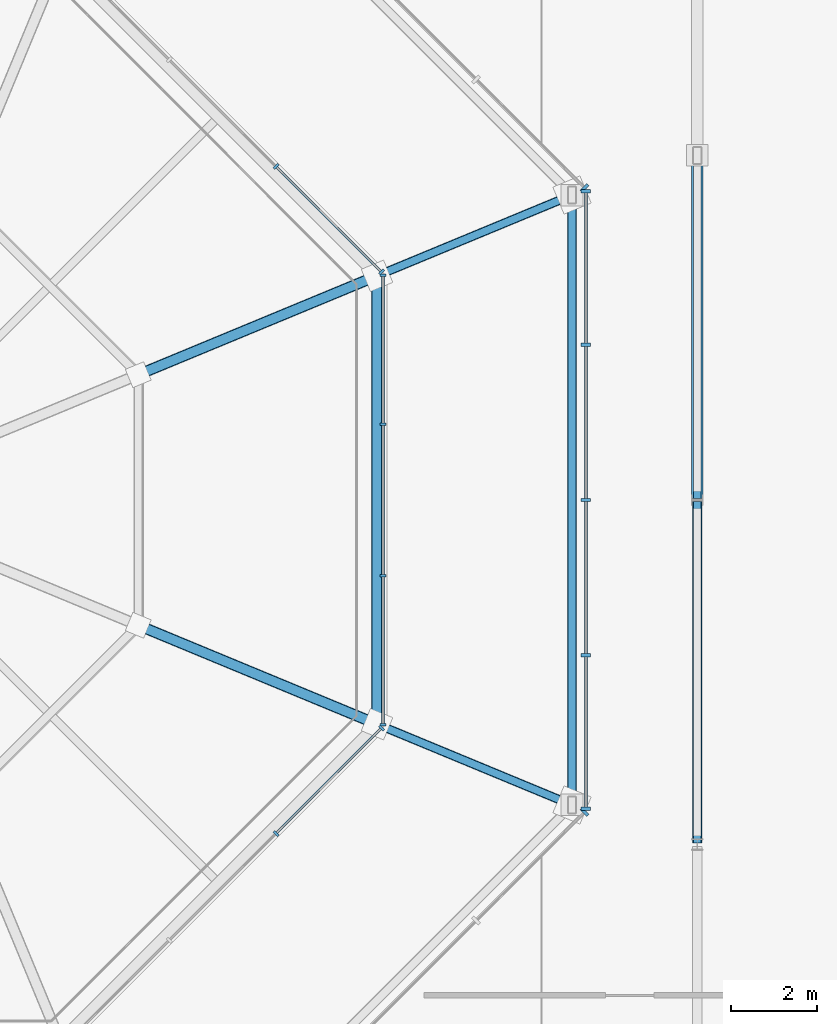
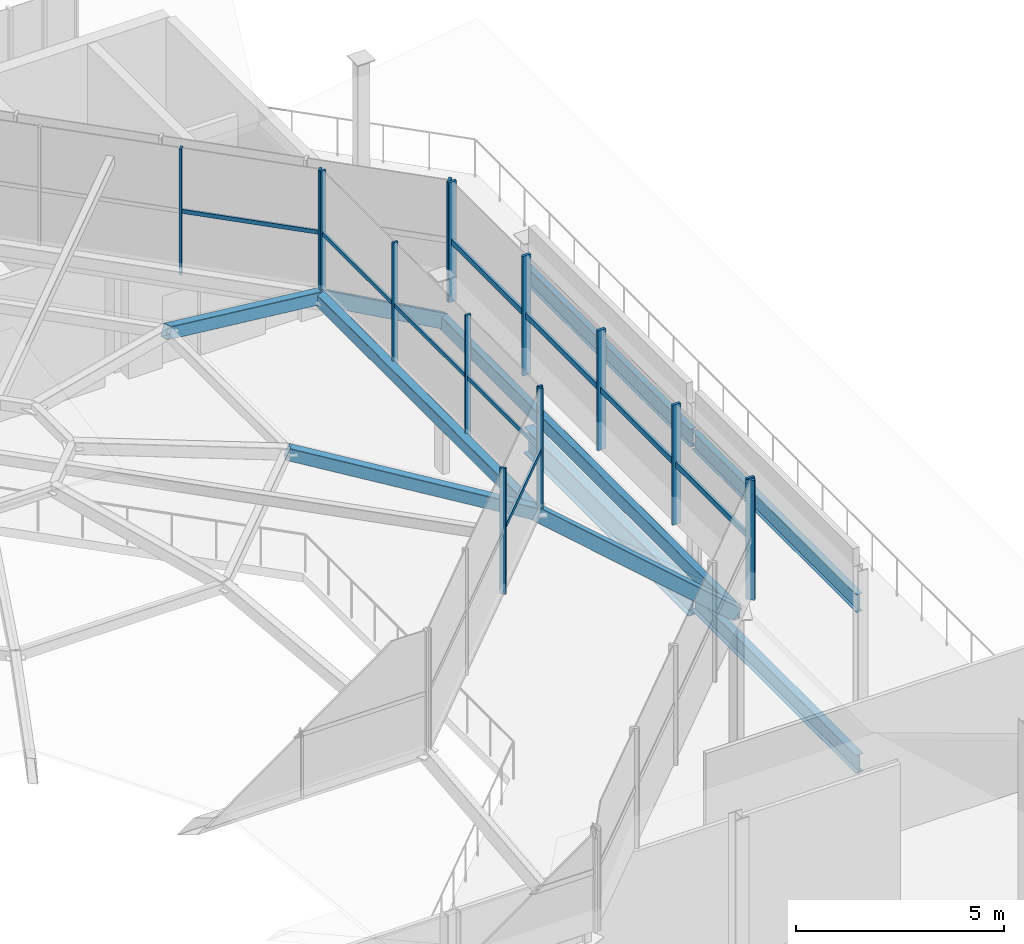
# One storey, part 12 of 30: 24 members, 10 beams, 6 elements without a shape of their own.
"""IFC4 building model written with IfcOpenShell, lengths in metres."""

from ifc_helpers import new_model, si_unit, direction, frame, origin, origin_2d, place, context, subcontext, project, spatial, rectangle, hollow_rectangle, i_section, extrude, material, material_profile, profile_set, type_object, element, aggregate, save


model = new_model("IFC4")

# Units and contexts
model_context = context("Model", 3, precision=1e-05, world=origin(), true_north=direction((0.0, 1.0)))
body_context = subcontext(model_context, "Body", "Model", "MODEL_VIEW")
ifc_project = project(units=[si_unit("LENGTHUNIT", "METRE"), si_unit("AREAUNIT", "SQUARE_METRE"), si_unit("VOLUMEUNIT", "CUBIC_METRE"), si_unit("PLANEANGLEUNIT", "RADIAN"), si_unit("MASSUNIT", "GRAM", prefix="KILO")], contexts=[model_context])

# Site, building, storey
site_placement = place(None, origin())
site = spatial("IfcSite", under=ifc_project, at=site_placement, CompositionType="ELEMENT")
building_placement = place(site_placement, origin())
building = spatial("IfcBuilding", under=site, at=building_placement, Name="Brisemont Oceanarium", CompositionType="ELEMENT")
storey_placement = place(building_placement, frame((0.0, 0.0, 19.800048828125)))
storey = spatial("IfcBuildingStorey", under=building, at=storey_placement, Name="L04", CompositionType="ELEMENT", Elevation=19.800048828125)

# Beams
ifc_material_1 = material(Name="Structural Steel ASTM A500 Gr.C", Category="steel")
ifc_material_profile_1 = material_profile(ifc_material_1, hollow_rectangle(XDim=0.25390625, YDim=0.35595703125, WallThickness=0.01171875, InnerFilletRadius=0.01220703125, OuterFilletRadius=0.02392578125, at=origin_2d()), Name="HSS14X10X1/2")
ifc_profile_set_1 = profile_set([ifc_material_profile_1], Name="Structural Steel ASTM A500 Gr.C")
beam_type_1 = type_object("IfcBeamType", Name="BM-HSS14X10", PredefinedType="BEAM", material=ifc_profile_set_1)
beam_1_placement = place(storey_placement, frame((96.564697265625, 61.20458984375, 7.800048828125), z_axis=(-0.862673737617, -0.357341841105, 0.357911764296), x_axis=(0.382693194178, -0.923875488976, 0.0)))
element("IfcBeam", 1, at=beam_1_placement, inside=storey, type_object=beam_type_1, Name="V1 dome meridian arch rib 2.1", PredefinedType="BEAM", context=body_context, shape_type="SweptSolid", body=[
    extrude(hollow_rectangle(XDim=0.25390625, YDim=0.35595703125, WallThickness=0.01171875, InnerFilletRadius=0.01220703125, OuterFilletRadius=0.02392578125, at=origin_2d()), origin(), (0.0, 0.0, 1.0), 6.425537109375),
])
beam_2_placement = place(storey_placement, frame((96.564697265625, 50.79541015625, 7.800048828125), z_axis=(0.0, 1.0, 0.0), x_axis=(-1.0, 0.0, 0.0)))
element("IfcBeam", 2, at=beam_2_placement, inside=storey, type_object=beam_type_1, Name="V1 dome ring 2 chord 8", PredefinedType="BEAM", context=body_context, shape_type="SweptSolid", body=[
    extrude(hollow_rectangle(XDim=0.25390625, YDim=0.35595703125, WallThickness=0.01171875, InnerFilletRadius=0.01220703125, OuterFilletRadius=0.02392578125, at=origin_2d()), origin(), (0.0, 0.0, 1.0), 10.4091796875),
])
beam_3_placement = place(storey_placement, frame((96.564697265625, 50.79541015625, 7.800048828125), z_axis=(-0.862673737617, 0.357341841105, 0.357911764296), x_axis=(-0.382693194178, -0.923875488976, 0.0)))
element("IfcBeam", 3, at=beam_3_placement, inside=storey, type_object=beam_type_1, Name="V1 dome meridian arch rib 2.8", PredefinedType="BEAM", context=body_context, shape_type="SweptSolid", body=[
    extrude(hollow_rectangle(XDim=0.25390625, YDim=0.35595703125, WallThickness=0.01171875, InnerFilletRadius=0.01220703125, OuterFilletRadius=0.02392578125, at=origin_2d()), origin(), (0.0, 0.0, 1.0), 6.425537109375),
])
ifc_material_2 = material(Name="Structural Steel ASTM A500 Gr.C", Category="steel")
ifc_material_profile_2 = material_profile(ifc_material_2, hollow_rectangle(XDim=0.202880859375, YDim=0.406005859375, WallThickness=0.01171875, InnerFilletRadius=0.01220703125, OuterFilletRadius=0.02392578125, at=origin_2d()), Name="HSS16X8X1/2")
ifc_profile_set_2 = profile_set([ifc_material_profile_2], Name="Structural Steel ASTM A500 Gr.C")
beam_type_2 = type_object("IfcBeamType", Name="BM-HSS16X8", PredefinedType="BEAM", material=ifc_profile_set_2)
beam_4_placement = place(storey_placement, frame((101.091796875, 63.07958984375, 4.3798828125), z_axis=(-0.757597539558, -0.313776039681, 0.572355278632), x_axis=(0.382651022285, -0.92389295654, 0.0)))
element("IfcBeam", 4, at=beam_4_placement, inside=storey, type_object=beam_type_2, Name="V1 dome meridian arch rib 1.1", PredefinedType="BEAM", context=body_context, shape_type="SweptSolid", body=[
    extrude(hollow_rectangle(XDim=0.202880859375, YDim=0.406005859375, WallThickness=0.01171875, InnerFilletRadius=0.01220703125, OuterFilletRadius=0.02392578125, at=origin_2d()), origin(), (0.0, 0.0, 1.0), 5.9755859375),
])
beam_5_placement = place(storey_placement, frame((101.091796875, 48.92041015625, 4.3798828125), z_axis=(0.0, 1.0, 0.0), x_axis=(-1.0, 0.0, 0.0)))
element("IfcBeam", 5, at=beam_5_placement, inside=storey, type_object=beam_type_2, Name="V1 dome ring 1 chord 8", PredefinedType="BEAM", context=body_context, shape_type="SweptSolid", body=[
    extrude(hollow_rectangle(XDim=0.202880859375, YDim=0.406005859375, WallThickness=0.01171875, InnerFilletRadius=0.01220703125, OuterFilletRadius=0.02392578125, at=origin_2d()), origin(), (0.0, 0.0, 1.0), 14.1591796875),
])
beam_6_placement = place(storey_placement, frame((101.091796875, 48.92041015625, 4.3798828125), z_axis=(-0.757597539558, 0.313776039681, 0.572355278632), x_axis=(-0.382651022285, -0.92389295654, 0.0)))
element("IfcBeam", 6, at=beam_6_placement, inside=storey, type_object=beam_type_2, Name="V1 dome meridian arch rib 1.8", PredefinedType="BEAM", context=body_context, shape_type="SweptSolid", body=[
    extrude(hollow_rectangle(XDim=0.202880859375, YDim=0.406005859375, WallThickness=0.01171875, InnerFilletRadius=0.01220703125, OuterFilletRadius=0.02392578125, at=origin_2d()), origin(), (0.0, 0.0, 1.0), 5.9755859375),
])
ifc_material_3 = material(Name="Structural Steel ASTM A992 Gr.50", Category="steel")
ifc_material_profile_3 = material_profile(ifc_material_3, i_section(OverallWidth=0.166015625, OverallDepth=0.528076171875, WebThickness=0.009765625, FlangeThickness=0.013671875, FilletRadius=0.012939453125, at=origin_2d()), Name="W21X50")
ifc_profile_set_3 = profile_set([ifc_material_profile_3], Name="Structural Steel ASTM A992 Gr.50")
beam_type_3 = type_object("IfcBeamType", Name="BM-W21X50", PredefinedType="SPANDREL", material=ifc_profile_set_3)
for number, where, z_axis, x_axis, name in (
    (7, (104.0, 48.0400390625, 4.18603515625), (0.0, 1.0, 0.0), (-1.0, 0.0, 0.0), "V1 L04 cornice parapet spandrel beam 9"),
    (8, (104.0, 56.0400390625, 4.18603515625), (0.0, 1.0, 0.0), (-1.0, 0.0, 0.0), "V1 L04 cornice parapet spandrel beam 10"),
):
    element("IfcBeam", number, at=place(storey_placement, frame(where, z_axis=z_axis, x_axis=x_axis)), inside=storey, type_object=beam_type_3, Name=name, PredefinedType="SPANDREL", context=body_context, shape_type="SweptSolid", body=[
        extrude(i_section(OverallWidth=0.166015625, OverallDepth=0.528076171875, WebThickness=0.009765625, FlangeThickness=0.013671875, FilletRadius=0.012939453125, at=origin_2d()), origin(), (0.0, 0.0, 1.0), 7.919921875),
    ])
ifc_material_4 = material(Name="Structural Steel ASTM A992 Gr.50", Category="steel")
ifc_material_profile_4 = material_profile(ifc_material_4, i_section(OverallWidth=0.2099609375, OverallDepth=0.532958984375, WebThickness=0.01025390625, FlangeThickness=0.015625, FilletRadius=0.012939453125, at=origin_2d()), Name="W21X62")
ifc_profile_set_4 = profile_set([ifc_material_profile_4], Name="Structural Steel ASTM A992 Gr.50")
beam_type_4 = type_object("IfcBeamType", Name="BM-W21X62", PredefinedType="BEAM", material=ifc_profile_set_4)
beam_7_placement = place(storey_placement, frame((104.0, 48.0400390625, -0.526611328125), z_axis=(0.0, 1.0, 0.0), x_axis=(-1.0, 0.0, 0.0)))
element("IfcBeam", 9, at=beam_7_placement, inside=storey, type_object=beam_type_4, Name="V1 L04 NS girder", PredefinedType="BEAM", context=body_context, shape_type="SweptSolid", body=[
    extrude(i_section(OverallWidth=0.2099609375, OverallDepth=0.532958984375, WebThickness=0.01025390625, FlangeThickness=0.015625, FilletRadius=0.012939453125, at=origin_2d()), origin(), (0.0, 0.0, 1.0), 7.919921875),
])
ifc_material_5 = material(Name="Structural Steel ASTM A992 Gr.50", Category="steel")
ifc_material_profile_5 = material_profile(ifc_material_5, i_section(OverallWidth=0.26708984375, OverallDepth=0.761962890625, WebThickness=0.014404296875, FlangeThickness=0.021484375, FilletRadius=0.01611328125, at=origin_2d()), Name="W30X116")
ifc_profile_set_5 = profile_set([ifc_material_profile_5], Name="Structural Steel ASTM A992 Gr.50")
beam_type_5 = type_object("IfcBeamType", Name="BM-W30X116", PredefinedType="BEAM", material=ifc_profile_set_5)
beam_8_placement = place(storey_placement, frame((104.0, 56.0400390625, -0.64111328125), z_axis=(0.0, 1.0, 0.0), x_axis=(-1.0, 0.0, 0.0)))
element("IfcBeam", 10, at=beam_8_placement, inside=storey, type_object=beam_type_5, Name="V1 L04 NS girder", PredefinedType="BEAM", context=body_context, shape_type="SweptSolid", body=[
    extrude(i_section(OverallWidth=0.26708984375, OverallDepth=0.761962890625, WebThickness=0.014404296875, FlangeThickness=0.021484375, FilletRadius=0.01611328125, at=origin_2d()), origin(), (0.0, 0.0, 1.0), 7.919921875),
])

# Curtain wall, members
ifc_material_6 = material(Name="Anodized Extruded Aluminum 6063-T6", Category="aluminium")
curtain_wall_type_1 = type_object("IfcCurtainWallType", Name="CW-CLR-48X34", PredefinedType="NOTDEFINED", material=ifc_material_6)
curtain_wall_1_placement = place(storey_placement, origin())
curtain_wall_1 = element("IfcCurtainWall", 11, at=curtain_wall_1_placement, inside=storey, type_object=curtain_wall_type_1, Name="CW-22 curtain wall CW-DOME-UP-1", PredefinedType="NOTDEFINED")
ifc_material_7 = material(Name="Anodized Extruded Aluminum 6063-T6", Category="aluminium")
ifc_material_profile_6 = material_profile(ifc_material_7, rectangle(XDim=0.06005859375, YDim=0.14990234375, at=origin_2d()), Name="CWM-60X150")
ifc_profile_set_6 = profile_set([ifc_material_profile_6], Name="Anodized Extruded Aluminum 6063-T6")
member_type_1 = type_object("IfcMemberType", Name="MEM-CWM-60", PredefinedType="MULLION", material=ifc_profile_set_6)
member_1_placement = place(storey_placement, frame((96.67138671875, 61.293701171875, 7.75), z_axis=(0.0, 0.0, 1.0), x_axis=(-0.707106781187, 0.707106781187, 0.0)))
member_1 = element("IfcMember", 12, at=member_1_placement, type_object=member_type_1, Name="CW-DOME-UP-1 mullion 1", PredefinedType="MULLION", context=body_context, shape_type="SweptSolid", body=[
    extrude(rectangle(XDim=0.06005859375, YDim=0.14990234375, at=origin_2d()), origin(), (0.0, 0.0, 1.0), 3.699951171875),
])
member_2_placement = place(storey_placement, frame((94.222900390625, 63.742431640625, 7.75), z_axis=(0.0, 0.0, 1.0), x_axis=(-0.707106781187, 0.707106781187, 0.0)))
member_2 = element("IfcMember", 13, at=member_2_placement, type_object=member_type_1, Name="CW-DOME-UP-1 mullion 2", PredefinedType="MULLION", context=body_context, shape_type="SweptSolid", body=[
    extrude(rectangle(XDim=0.06005859375, YDim=0.14990234375, at=origin_2d()), origin(), (0.0, 0.0, 1.0), 3.699951171875),
])

curtain_wall_2_placement = place(storey_placement, origin())
curtain_wall_2 = element("IfcCurtainWall", 14, at=curtain_wall_2_placement, inside=storey, type_object=curtain_wall_type_1, Name="CW-22 curtain wall CW-DOME-UP-7", PredefinedType="NOTDEFINED")
member_3_placement = place(storey_placement, frame((94.222900390625, 48.257568359375, 7.75), z_axis=(0.0, 0.0, 1.0), x_axis=(0.707106781187, 0.707106781187, 0.0)))
member_3 = element("IfcMember", 15, at=member_3_placement, type_object=member_type_1, Name="CW-DOME-UP-7 mullion 3", PredefinedType="MULLION", context=body_context, shape_type="SweptSolid", body=[
    extrude(rectangle(XDim=0.06005859375, YDim=0.14990234375, at=origin_2d()), origin(), (0.0, 0.0, 1.0), 3.699951171875),
])
member_4_placement = place(storey_placement, frame((96.67138671875, 50.706298828125, 7.75), z_axis=(0.0, 0.0, 1.0), x_axis=(0.707106781187, 0.707106781187, 0.0)))
member_4 = element("IfcMember", 16, at=member_4_placement, type_object=member_type_1, Name="CW-DOME-UP-7 mullion 4", PredefinedType="MULLION", context=body_context, shape_type="SweptSolid", body=[
    extrude(rectangle(XDim=0.06005859375, YDim=0.14990234375, at=origin_2d()), origin(), (0.0, 0.0, 1.0), 3.699951171875),
])

curtain_wall_3_placement = place(storey_placement, origin())
curtain_wall_3 = element("IfcCurtainWall", 17, at=curtain_wall_3_placement, inside=storey, type_object=curtain_wall_type_1, Name="CW-22 curtain wall CW-DOME-UP-8", PredefinedType="NOTDEFINED")
member_5_placement = place(storey_placement, frame((96.703369140625, 50.783203125, 7.75), z_axis=(0.0, 0.0, 1.0), x_axis=(0.0, 1.0, 0.0)))
member_5 = element("IfcMember", 18, at=member_5_placement, type_object=member_type_1, Name="CW-DOME-UP-8 mullion 1", PredefinedType="MULLION", context=body_context, shape_type="SweptSolid", body=[
    extrude(rectangle(XDim=0.06005859375, YDim=0.14990234375, at=origin_2d()), origin(), (0.0, 0.0, 1.0), 3.699951171875),
])
member_6_placement = place(storey_placement, frame((96.703369140625, 54.24609375, 7.75), z_axis=(0.0, 0.0, 1.0), x_axis=(0.0, 1.0, 0.0)))
member_6 = element("IfcMember", 19, at=member_6_placement, type_object=member_type_1, Name="CW-DOME-UP-8 mullion 2", PredefinedType="MULLION", context=body_context, shape_type="SweptSolid", body=[
    extrude(rectangle(XDim=0.06005859375, YDim=0.14990234375, at=origin_2d()), origin(), (0.0, 0.0, 1.0), 3.699951171875),
])
member_7_placement = place(storey_placement, frame((96.703369140625, 57.75390625, 7.75), z_axis=(0.0, 0.0, 1.0), x_axis=(0.0, 1.0, 0.0)))
member_7 = element("IfcMember", 20, at=member_7_placement, type_object=member_type_1, Name="CW-DOME-UP-8 mullion 3", PredefinedType="MULLION", context=body_context, shape_type="SweptSolid", body=[
    extrude(rectangle(XDim=0.06005859375, YDim=0.14990234375, at=origin_2d()), origin(), (0.0, 0.0, 1.0), 3.699951171875),
])
member_8_placement = place(storey_placement, frame((96.703369140625, 61.216796875, 7.75), z_axis=(0.0, 0.0, 1.0), x_axis=(0.0, 1.0, 0.0)))
member_8 = element("IfcMember", 21, at=member_8_placement, type_object=member_type_1, Name="CW-DOME-UP-8 mullion 4", PredefinedType="MULLION", context=body_context, shape_type="SweptSolid", body=[
    extrude(rectangle(XDim=0.06005859375, YDim=0.14990234375, at=origin_2d()), origin(), (0.0, 0.0, 1.0), 3.699951171875),
])

# Curtain wall, member
ifc_material_8 = material(Name="Anodized Extruded Aluminum 6063-T6", Category="aluminium")
curtain_wall_type_2 = type_object("IfcCurtainWallType", Name="CW-ROT-69X44", PredefinedType="NOTDEFINED", material=ifc_material_8)
curtain_wall_4_placement = place(storey_placement, origin())
curtain_wall_4 = element("IfcCurtainWall", 22, at=curtain_wall_4_placement, inside=storey, type_object=curtain_wall_type_2, Name="CW-03 curtain wall CW-DOME-DRUM-1", PredefinedType="NOTDEFINED")
ifc_material_9 = material(Name="Anodized Extruded Aluminum 6063-T6", Category="aluminium")
ifc_material_profile_7 = material_profile(ifc_material_9, rectangle(XDim=0.074951171875, YDim=0.219970703125, at=origin_2d()), Name="CWM-75X220")
ifc_profile_set_7 = profile_set([ifc_material_profile_7], Name="Anodized Extruded Aluminum 6063-T6")
member_type_2 = type_object("IfcMemberType", Name="MEM-CWM-75", PredefinedType="MULLION", material=ifc_profile_set_7)
member_9_placement = place(storey_placement, frame((101.38330078125, 63.245361328125, 4.780029296875), z_axis=(0.0, 0.0, 1.0), x_axis=(-0.707106781187, 0.707106781187, 0.0)))
member_9 = element("IfcMember", 23, at=member_9_placement, type_object=member_type_2, Name="CW-DOME-DRUM-1 mullion 1", PredefinedType="MULLION", context=body_context, shape_type="SweptSolid", body=[
    extrude(rectangle(XDim=0.074951171875, YDim=0.219970703125, at=origin_2d()), origin(), (0.0, 0.0, 1.0), 3.52001953125),
])
aggregate(curtain_wall_4, [member_9])

curtain_wall_5_placement = place(storey_placement, origin())
curtain_wall_5 = element("IfcCurtainWall", 24, at=curtain_wall_5_placement, inside=storey, type_object=curtain_wall_type_2, Name="CW-03 curtain wall CW-DOME-DRUM-7", PredefinedType="NOTDEFINED")
member_10_placement = place(storey_placement, frame((101.38330078125, 48.754638671875, 4.780029296875), z_axis=(0.0, 0.0, 1.0), x_axis=(0.707106781187, 0.707106781187, 0.0)))
member_10 = element("IfcMember", 25, at=member_10_placement, type_object=member_type_2, Name="CW-DOME-DRUM-7 mullion 5", PredefinedType="MULLION", context=body_context, shape_type="SweptSolid", body=[
    extrude(rectangle(XDim=0.074951171875, YDim=0.219970703125, at=origin_2d()), origin(), (0.0, 0.0, 1.0), 3.52001953125),
])
aggregate(curtain_wall_5, [member_10])

# Curtain wall, members
curtain_wall_6_placement = place(storey_placement, origin())
curtain_wall_6 = element("IfcCurtainWall", 26, at=curtain_wall_6_placement, inside=storey, type_object=curtain_wall_type_2, Name="CW-03 curtain wall CW-DOME-DRUM-8", PredefinedType="NOTDEFINED")
member_11_placement = place(storey_placement, frame((101.4150390625, 48.831298828125, 4.780029296875), z_axis=(0.0, 0.0, 1.0), x_axis=(0.0, 1.0, 0.0)))
member_11 = element("IfcMember", 27, at=member_11_placement, type_object=member_type_2, Name="CW-DOME-DRUM-8 mullion 1", PredefinedType="MULLION", context=body_context, shape_type="SweptSolid", body=[
    extrude(rectangle(XDim=0.074951171875, YDim=0.219970703125, at=origin_2d()), origin(), (0.0, 0.0, 1.0), 3.52001953125),
])
member_12_placement = place(storey_placement, frame((101.4150390625, 52.393310546875, 4.780029296875), z_axis=(0.0, 0.0, 1.0), x_axis=(0.0, 1.0, 0.0)))
member_12 = element("IfcMember", 28, at=member_12_placement, type_object=member_type_2, Name="CW-DOME-DRUM-8 mullion 2", PredefinedType="MULLION", context=body_context, shape_type="SweptSolid", body=[
    extrude(rectangle(XDim=0.074951171875, YDim=0.219970703125, at=origin_2d()), origin(), (0.0, 0.0, 1.0), 3.52001953125),
])
member_13_placement = place(storey_placement, frame((101.4150390625, 56.0, 4.780029296875), z_axis=(0.0, 0.0, 1.0), x_axis=(0.0, 1.0, 0.0)))
member_13 = element("IfcMember", 29, at=member_13_placement, type_object=member_type_2, Name="CW-DOME-DRUM-8 mullion 3", PredefinedType="MULLION", context=body_context, shape_type="SweptSolid", body=[
    extrude(rectangle(XDim=0.074951171875, YDim=0.219970703125, at=origin_2d()), origin(), (0.0, 0.0, 1.0), 3.52001953125),
])
member_14_placement = place(storey_placement, frame((101.4150390625, 59.606689453125, 4.780029296875), z_axis=(0.0, 0.0, 1.0), x_axis=(0.0, 1.0, 0.0)))
member_14 = element("IfcMember", 30, at=member_14_placement, type_object=member_type_2, Name="CW-DOME-DRUM-8 mullion 4", PredefinedType="MULLION", context=body_context, shape_type="SweptSolid", body=[
    extrude(rectangle(XDim=0.074951171875, YDim=0.219970703125, at=origin_2d()), origin(), (0.0, 0.0, 1.0), 3.52001953125),
])
member_15_placement = place(storey_placement, frame((101.4150390625, 63.168701171875, 4.780029296875), z_axis=(0.0, 0.0, 1.0), x_axis=(0.0, 1.0, 0.0)))
member_15 = element("IfcMember", 31, at=member_15_placement, type_object=member_type_2, Name="CW-DOME-DRUM-8 mullion 5", PredefinedType="MULLION", context=body_context, shape_type="SweptSolid", body=[
    extrude(rectangle(XDim=0.074951171875, YDim=0.219970703125, at=origin_2d()), origin(), (0.0, 0.0, 1.0), 3.52001953125),
])

# Member
ifc_material_10 = material(Name="Anodized Extruded Aluminum 6063-T6", Category="aluminium")
ifc_material_profile_8 = material_profile(ifc_material_10, rectangle(XDim=0.06005859375, YDim=0.1201171875, at=origin_2d()), Name="CWT-60X120")
ifc_profile_set_8 = profile_set([ifc_material_profile_8], Name="Anodized Extruded Aluminum 6063-T6")
member_type_3 = type_object("IfcMemberType", Name="MEM-CWT-60", PredefinedType="USERDEFINED", material=ifc_profile_set_8)
member_16_placement = place(storey_placement, frame((96.692626953125, 61.2724609375, 9.599853515625), z_axis=(-0.707106781187, 0.707106781187, 0.0), x_axis=(-0.707106781187, -0.707106781187, 0.0)))
member_16 = element("IfcMember", 32, at=member_16_placement, type_object=member_type_3, Name="CW-DOME-UP-1 transom 1.1", ObjectType="TRANSOM", PredefinedType="USERDEFINED", context=body_context, shape_type="SweptSolid", body=[
    extrude(rectangle(XDim=0.06005859375, YDim=0.1201171875, at=origin_2d()), origin(), (0.0, 0.0, 1.0), 3.477783203125),
])

aggregate(curtain_wall_1, [member_1, member_2, member_16])

member_17_placement = place(storey_placement, frame((94.2333984375, 48.268310546875, 9.599853515625), z_axis=(0.707106781187, 0.707106781187, 0.0), x_axis=(-0.707106781187, 0.707106781187, 0.0)))
member_17 = element("IfcMember", 33, at=member_17_placement, type_object=member_type_3, Name="CW-DOME-UP-7 transom 3.1", ObjectType="TRANSOM", PredefinedType="USERDEFINED", context=body_context, shape_type="SweptSolid", body=[
    extrude(rectangle(XDim=0.06005859375, YDim=0.1201171875, at=origin_2d()), origin(), (0.0, 0.0, 1.0), 3.477783203125),
])

aggregate(curtain_wall_2, [member_3, member_4, member_17])

member_18_placement = place(storey_placement, frame((96.703369140625, 50.753173828125, 9.599853515625), z_axis=(0.0, 1.0, 0.0), x_axis=(-1.0, 0.0, 0.0)))
member_18 = element("IfcMember", 34, at=member_18_placement, type_object=member_type_3, Name="CW-DOME-UP-8 transom 1.1", ObjectType="TRANSOM", PredefinedType="USERDEFINED", context=body_context, shape_type="SweptSolid", body=[
    extrude(rectangle(XDim=0.06005859375, YDim=0.1201171875, at=origin_2d()), origin(), (0.0, 0.0, 1.0), 3.477783203125),
])

member_19_placement = place(storey_placement, frame((96.703369140625, 54.260986328125, 9.599853515625), z_axis=(0.0, 1.0, 0.0), x_axis=(-1.0, 0.0, 0.0)))
member_19 = element("IfcMember", 35, at=member_19_placement, type_object=member_type_3, Name="CW-DOME-UP-8 transom 2.1", ObjectType="TRANSOM", PredefinedType="USERDEFINED", context=body_context, shape_type="SweptSolid", body=[
    extrude(rectangle(XDim=0.06005859375, YDim=0.1201171875, at=origin_2d()), origin(), (0.0, 0.0, 1.0), 3.47802734375),
])

member_20_placement = place(storey_placement, frame((96.703369140625, 57.76904296875, 9.599853515625), z_axis=(0.0, 1.0, 0.0), x_axis=(-1.0, 0.0, 0.0)))
member_20 = element("IfcMember", 36, at=member_20_placement, type_object=member_type_3, Name="CW-DOME-UP-8 transom 3.1", ObjectType="TRANSOM", PredefinedType="USERDEFINED", context=body_context, shape_type="SweptSolid", body=[
    extrude(rectangle(XDim=0.06005859375, YDim=0.1201171875, at=origin_2d()), origin(), (0.0, 0.0, 1.0), 3.477783203125),
])

aggregate(curtain_wall_3, [member_5, member_6, member_7, member_8, member_18, member_19, member_20])

ifc_material_11 = material(Name="Anodized Extruded Aluminum 6063-T6", Category="aluminium")
ifc_material_profile_9 = material_profile(ifc_material_11, rectangle(XDim=0.074951171875, YDim=0.1650390625, at=origin_2d()), Name="CWT-75X165")
ifc_profile_set_9 = profile_set([ifc_material_profile_9], Name="Anodized Extruded Aluminum 6063-T6")
member_type_4 = type_object("IfcMemberType", Name="MEM-CWT-75", PredefinedType="USERDEFINED", material=ifc_profile_set_9)
member_21_placement = place(storey_placement, frame((101.4150390625, 48.801513671875, 6.5400390625), z_axis=(0.0, 1.0, 0.0), x_axis=(-1.0, 0.0, 0.0)))
member_21 = element("IfcMember", 37, at=member_21_placement, type_object=member_type_4, Name="CW-DOME-DRUM-8 transom 1.1", ObjectType="TRANSOM", PredefinedType="USERDEFINED", context=body_context, shape_type="SweptSolid", body=[
    extrude(rectangle(XDim=0.074951171875, YDim=0.1650390625, at=origin_2d()), origin(), (0.0, 0.0, 1.0), 3.57666015625),
])

member_22_placement = place(storey_placement, frame((101.4150390625, 52.408203125, 6.5400390625), z_axis=(0.0, 1.0, 0.0), x_axis=(-1.0, 0.0, 0.0)))
member_22 = element("IfcMember", 38, at=member_22_placement, type_object=member_type_4, Name="CW-DOME-DRUM-8 transom 2.1", ObjectType="TRANSOM", PredefinedType="USERDEFINED", context=body_context, shape_type="SweptSolid", body=[
    extrude(rectangle(XDim=0.074951171875, YDim=0.1650390625, at=origin_2d()), origin(), (0.0, 0.0, 1.0), 3.576904296875),
])

member_23_placement = place(storey_placement, frame((101.4150390625, 56.014892578125, 6.5400390625), z_axis=(0.0, 1.0, 0.0), x_axis=(-1.0, 0.0, 0.0)))
member_23 = element("IfcMember", 39, at=member_23_placement, type_object=member_type_4, Name="CW-DOME-DRUM-8 transom 3.1", ObjectType="TRANSOM", PredefinedType="USERDEFINED", context=body_context, shape_type="SweptSolid", body=[
    extrude(rectangle(XDim=0.074951171875, YDim=0.1650390625, at=origin_2d()), origin(), (0.0, 0.0, 1.0), 3.576904296875),
])

member_24_placement = place(storey_placement, frame((101.4150390625, 59.621826171875, 6.5400390625), z_axis=(0.0, 1.0, 0.0), x_axis=(-1.0, 0.0, 0.0)))
member_24 = element("IfcMember", 40, at=member_24_placement, type_object=member_type_4, Name="CW-DOME-DRUM-8 transom 4.1", ObjectType="TRANSOM", PredefinedType="USERDEFINED", context=body_context, shape_type="SweptSolid", body=[
    extrude(rectangle(XDim=0.074951171875, YDim=0.1650390625, at=origin_2d()), origin(), (0.0, 0.0, 1.0), 3.57666015625),
])

aggregate(curtain_wall_6, [member_11, member_12, member_13, member_14, member_15, member_21, member_22, member_23, member_24])

save(model, "model.ifc")
